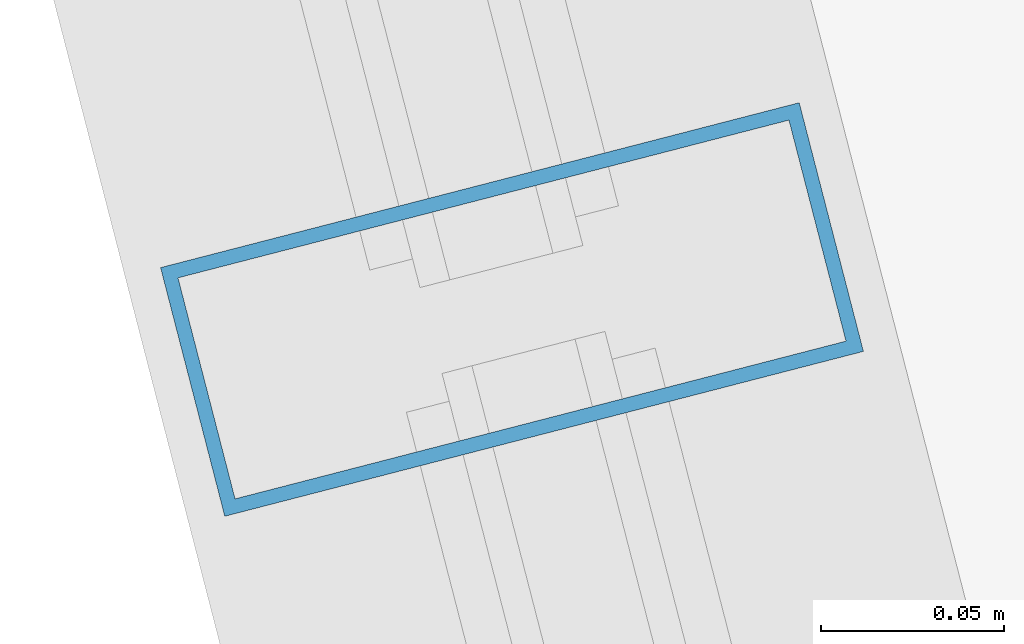
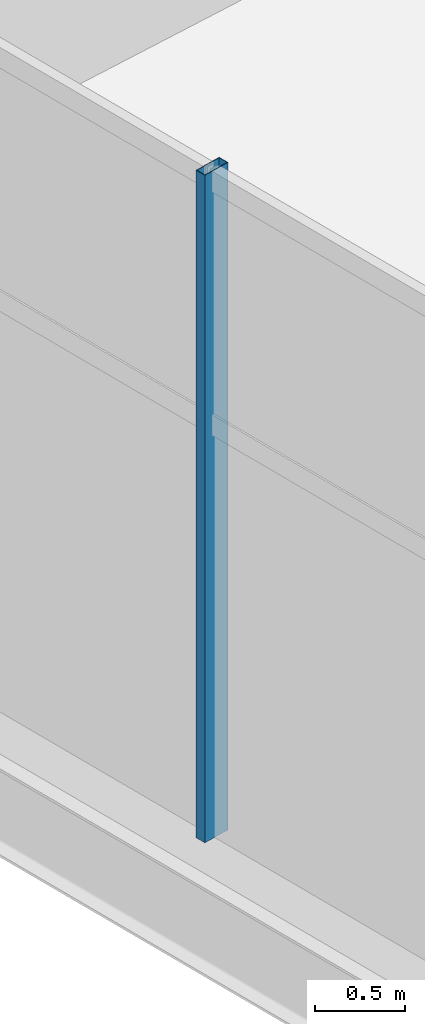
# One storey, part 25 of 186: 1 member, 1 element without a shape of its own.
"""IFC4 building model written with IfcOpenShell, lengths in metres."""

import ifcopenshell
import ifcopenshell.guid

model = None  # the IFC model being written
_history = None  # IfcOwnerHistory: only IFC2X3 demands one
_inside = {}  # id of a spatial element -> (the spatial element, [elements in it])
_under = {}  # id of a project, library or spatial element -> (it, [spatial elements below it])
_declared = {}  # id of a project -> (the project, [libraries it declares])
_typed = {}  # id of a type object -> (the type object, [elements of that type])
_made_of = {}  # id of a material, layer set ... -> (it, [elements and type objects made of it])


def new_model(schema):
    """Start an empty IFC model of exactly this schema.

    Asked for "IFC4X3", IfcOpenShell would pick the latest addendum, in which some entities
    have other attributes; the version numbers below select the first issue.
    IFC2X3 requires an IfcOwnerHistory on every rooted entity: one is made here for all.
    """
    global model, _history
    if schema == "IFC4X3":
        model = ifcopenshell.file(schema_version=(4, 3, 0, 0))
    else:
        model = ifcopenshell.file(schema=schema)
    _inside.clear()
    _under.clear()
    _declared.clear()
    _typed.clear()
    _made_of.clear()
    _history = None
    if model.schema == "IFC2X3":
        org = make("IfcOrganization", Name="unknown")
        user = make(
            "IfcPersonAndOrganization",
            ThePerson=make("IfcPerson", FamilyName="unknown"),
            TheOrganization=org,
        )
        app = make(
            "IfcApplication",
            ApplicationDeveloper=org,
            Version="unknown",
            ApplicationFullName="unknown",
            ApplicationIdentifier="unknown",
        )
        _history = make(
            "IfcOwnerHistory",
            OwningUser=user,
            OwningApplication=app,
            ChangeAction="ADDED",
            CreationDate=0,
        )
    return model


def make(cls, **values):
    """One entity of the class cls with the attributes given. An attribute that is None is left unset."""
    return model.create_entity(
        cls, **{name: value for name, value in values.items() if value is not None}
    )


def rooted(cls, **values):
    """An entity with a GlobalId (a new one), such as an element, a storey or a relation."""
    return make(cls, GlobalId=ifcopenshell.guid.new(), OwnerHistory=_history, **values)


def si_unit(unit_type, name, prefix=None):
    """IfcSIUnit, for example si_unit("LENGTHUNIT", "METRE", prefix="MILLI")."""
    return make("IfcSIUnit", UnitType=unit_type, Prefix=prefix, Name=name)


def assignment(units):
    """IfcUnitAssignment: the units of a project."""
    return None if units is None else make("IfcUnitAssignment", Units=units)


def point(xyz):
    """IfcCartesianPoint."""
    return None if xyz is None else make("IfcCartesianPoint", Coordinates=xyz)


def direction(xyz):
    """IfcDirection."""
    return None if xyz is None else make("IfcDirection", DirectionRatios=xyz)


def frame(location, z_axis=None, x_axis=None):
    """IfcAxis2Placement3D, a coordinate frame: its origin and axes. An axis left out is left unset."""
    return make(
        "IfcAxis2Placement3D",
        Location=point(location),
        Axis=direction(z_axis),
        RefDirection=direction(x_axis),
    )


def frame_2d(location, x_axis=None):
    """IfcAxis2Placement2D, a coordinate frame in the plane: its origin and x axis."""
    return make(
        "IfcAxis2Placement2D", Location=point(location), RefDirection=direction(x_axis)
    )


def origin():
    """The frame at (0, 0, 0) with its axes left unset."""
    return frame((0.0, 0.0, 0.0))


def origin_2d():
    """The frame at (0, 0) in the plane with its x axis left unset."""
    return frame_2d((0.0, 0.0))


def place(relative_to, where):
    """IfcLocalPlacement: puts the frame where relative to a parent placement (None: the world)."""
    return make(
        "IfcLocalPlacement", PlacementRelTo=relative_to, RelativePlacement=where
    )


def context(
    kind, dimensions, precision=None, world=None, true_north=None, identifier=None
):
    """IfcGeometricRepresentationContext, for example the 3D "Model" context."""
    return make(
        "IfcGeometricRepresentationContext",
        ContextIdentifier=identifier,
        ContextType=kind,
        CoordinateSpaceDimension=dimensions,
        Precision=precision,
        WorldCoordinateSystem=world,
        TrueNorth=true_north,
    )


def subcontext(parent, identifier, kind, view, scale=None):
    """IfcGeometricRepresentationSubContext, for example "Body" below "Model"."""
    return make(
        "IfcGeometricRepresentationSubContext",
        ContextIdentifier=identifier,
        ContextType=kind,
        ParentContext=parent,
        TargetScale=scale,
        TargetView=view,
    )


def project(units=None, contexts=None):
    """IfcProject with its units and contexts."""
    return rooted(
        "IfcProject",
        Name="project",
        RepresentationContexts=contexts,
        UnitsInContext=assignment(units),
    )


def spatial(cls, under=None, at=None, **own):
    """A site, building, storey or space (cls), placed at a placement, below another one or the project."""
    s = rooted(cls, ObjectPlacement=at, **own)
    if under is not None:
        _under.setdefault(under.id(), (under, []))[1].append(s)
    return s


def profile(cls, at=None, kind="AREA", **sizes):
    """A parametric profile (cls). Its sizes go by their IFC names, for example OverallWidth=200.0."""
    return make(cls, ProfileType=kind, Position=at, **sizes)


def hollow_rectangle(**sizes):
    """IfcRectangleHollowProfileDef."""
    return profile("IfcRectangleHollowProfileDef", **sizes)


def extrude(swept, where, along, depth):
    """IfcExtrudedAreaSolid: the profile swept, set in the frame where, extruded along a direction by depth."""
    return make(
        "IfcExtrudedAreaSolid",
        SweptArea=swept,
        Position=where,
        ExtrudedDirection=direction(along),
        Depth=depth,
    )


def shape(context_of_items, identifier, shape_type, items):
    """IfcShapeRepresentation: the items that make up one representation, for example the "Body"."""
    return make(
        "IfcShapeRepresentation",
        ContextOfItems=context_of_items,
        RepresentationIdentifier=identifier,
        RepresentationType=shape_type,
        Items=items,
    )


def material(Name=None, Category=None):
    """IfcMaterial."""
    return make("IfcMaterial", Name=Name, Category=Category)


def layer(
    of_material, thickness, ventilated=None, Name=None, Category=None, Priority=None
):
    """IfcMaterialLayer: one layer of a wall or slab, of a material (None: an air gap)."""
    return make(
        "IfcMaterialLayer",
        Material=of_material,
        LayerThickness=thickness,
        IsVentilated=ventilated,
        Name=Name,
        Category=Category,
        Priority=Priority,
    )


def layer_set(layers, Name=None):
    """IfcMaterialLayerSet."""
    return make("IfcMaterialLayerSet", MaterialLayers=layers, LayerSetName=Name)


def material_profile(
    of_material, cross_section, Name=None, Category=None, Priority=None
):
    """IfcMaterialProfile: a cross section and its material."""
    return make(
        "IfcMaterialProfile",
        Name=Name,
        Material=of_material,
        Profile=cross_section,
        Priority=Priority,
        Category=Category,
    )


def profile_set(profiles, Name=None, composite=None):
    """IfcMaterialProfileSet."""
    return make(
        "IfcMaterialProfileSet",
        Name=Name,
        MaterialProfiles=profiles,
        CompositeProfile=composite,
    )


def made_of(thing, what):
    """Note that an element or type object is made of a material, layer set ...; save() writes the relation."""
    if what is not None:
        _made_of.setdefault(what.id(), (what, []))[1].append(thing)
    return thing


def type_object(cls, material=None, **own):
    """A type object (cls), such as IfcWallType, which elements share."""
    return made_of(rooted(cls, **own), material)


def element(
    cls,
    number,
    at=None,
    inside=None,
    cuts=None,
    type_object=None,
    material=None,
    context=None,
    identifier="Body",
    shape_type=None,
    held_by="IfcProductDefinitionShape",
    body=None,
    shapes=None,
    **own,
):
    """One element of the class cls, such as IfcWall. Its Tag is "e" and its number.

    at: its placement. inside: the storey or other place that contains it. cuts: it is an
    opening in that element (IfcRelVoidsElement). A single representation is given by context,
    identifier, shape_type and body (its items); several are given by shapes. held_by: the class
    of the entity that holds the representations. save() writes the other relations.
    """
    e = rooted(cls, Tag="e%d" % number, ObjectPlacement=at, **own)
    if body is not None:
        shapes = [shape(context, identifier, shape_type, body)]
    if shapes is not None:
        e.Representation = make(held_by, Representations=shapes)
    if inside is not None:
        _inside.setdefault(inside.id(), (inside, []))[1].append(e)
    if cuts is not None:
        rooted(
            "IfcRelVoidsElement", RelatingBuildingElement=cuts, RelatedOpeningElement=e
        )
    if type_object is not None:
        _typed.setdefault(type_object.id(), (type_object, []))[1].append(e)
    return made_of(e, material)


def aggregate(whole, parts):
    """IfcRelAggregates: a whole, such as a stair, and the parts it consists of."""
    return rooted("IfcRelAggregates", RelatingObject=whole, RelatedObjects=parts)


def save(model, path):
    """Write the relations noted so far, then the file.

    IfcRelAggregates (storeys below a building ...), IfcRelContainedInSpatialStructure (elements
    in a storey), IfcRelDefinesByType, IfcRelAssociatesMaterial and IfcRelDeclares: one each for
    every whole, place, type object, material and project.
    """
    for whole, parts in _under.values():
        aggregate(whole, parts)
    for where, things in _inside.values():
        rooted(
            "IfcRelContainedInSpatialStructure",
            RelatedElements=things,
            RelatingStructure=where,
        )
    for kind, things in _typed.values():
        rooted("IfcRelDefinesByType", RelatedObjects=things, RelatingType=kind)
    for what, things in _made_of.values():
        rooted("IfcRelAssociatesMaterial", RelatedObjects=things, RelatingMaterial=what)
    for by, libraries in _declared.values():
        rooted("IfcRelDeclares", RelatingContext=by, RelatedDefinitions=libraries)
    model.write(path)


model = new_model("IFC4")

# Units and contexts
model_context = context("Model", 3, precision=1e-05, world=origin(), true_north=direction((0.0, 1.0)))
body_context = subcontext(model_context, "Body", "Model", "MODEL_VIEW")
ifc_project = project(units=[si_unit("LENGTHUNIT", "METRE"), si_unit("AREAUNIT", "SQUARE_METRE"), si_unit("VOLUMEUNIT", "CUBIC_METRE"), si_unit("PLANEANGLEUNIT", "RADIAN"), si_unit("MASSUNIT", "GRAM", prefix="KILO")], contexts=[model_context])

# Site, building, storey
site_placement = place(None, origin())
site = spatial("IfcSite", under=ifc_project, at=site_placement, CompositionType="ELEMENT")
building_placement = place(site_placement, origin())
building = spatial("IfcBuilding", under=site, at=building_placement, Name="Kazemori Nagisa Stadium", CompositionType="ELEMENT")
storey_placement = place(building_placement, frame((0.0, 0.0, 20.39990234375)))
storey = spatial("IfcBuildingStorey", under=building, at=storey_placement, Name="L04", CompositionType="ELEMENT", Elevation=20.39990234375)

# Curtain wall, member
ifc_material_1 = material(Name="Anodised aluminium 6063-T5", Category="aluminium")
ifc_layer = layer(ifc_material_1, 0.179931640625, Name="Anodised aluminium 6063-T5", Category="aluminium")
ifc_layer_set = layer_set([ifc_layer], Name="Anodised aluminium 6063-T5")
curtain_wall_type = type_object("IfcCurtainWallType", Name="CW_L04R3_98", PredefinedType="USERDEFINED", material=ifc_layer_set)
curtain_wall_placement = place(storey_placement, origin())
curtain_wall = element("IfcCurtainWall", 1, at=curtain_wall_placement, inside=storey, type_object=curtain_wall_type, Name="Unitised curtain wall CW-L04R3-98 L04", ObjectType="UNITISED CURTAIN WALL", PredefinedType="USERDEFINED")
ifc_material_2 = material(Name="Aluminium 6063-T5 anodised", Category="aluminium")
ifc_material_profile = material_profile(ifc_material_2, hollow_rectangle(XDim=0.070068359375, YDim=0.179931640625, WallThickness=0.00390625, at=origin_2d()), Name="ALU-MULL-70x180x4")
ifc_profile_set = profile_set([ifc_material_profile], Name="Aluminium 6063-T5 anodised")
member_type = type_object("IfcMemberType", Name="Mullion_M01", PredefinedType="MULLION", material=ifc_profile_set)
member_placement = place(storey_placement, frame((30.8056640625, 76.0693359375, 0.0), z_axis=(0.0, 0.0, 1.0), x_axis=(0.249964642418, -0.968254965152, 0.0)))
member = element("IfcMember", 2, at=member_placement, type_object=member_type, Name="Curtain wall mullion CW-L04R3-98-M2", PredefinedType="MULLION", context=body_context, shape_type="SweptSolid", body=[
    extrude(hollow_rectangle(XDim=0.070068359375, YDim=0.179931640625, WallThickness=0.00390625, at=origin_2d()), origin(), (0.0, 0.0, 1.0), 4.530029296875),
])
aggregate(curtain_wall, [member])

save(model, "model.ifc")
